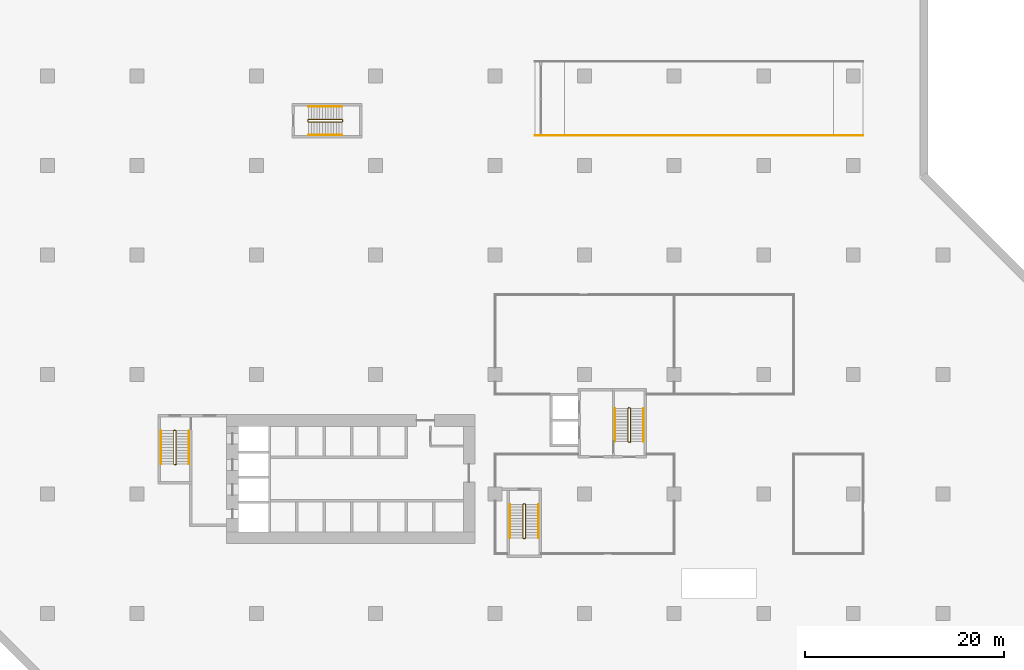
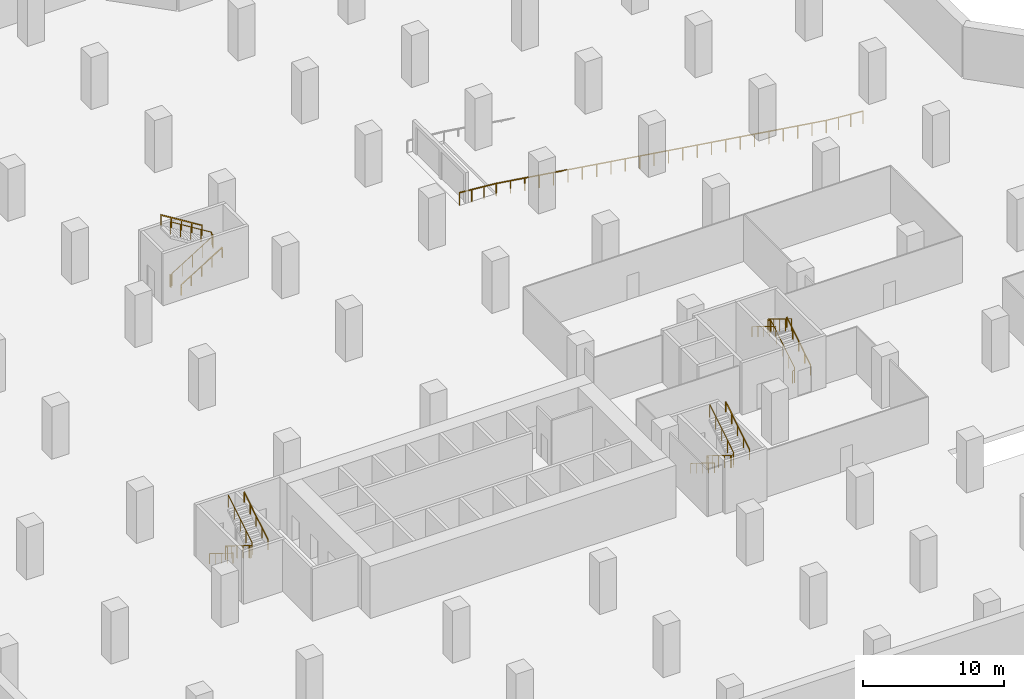
# One storey, part 8 of 9: 13 railings.
"""IFC4 building model written with IfcOpenShell, lengths in metres."""

from ifc_helpers import new_model, si_unit, direction, frame, origin, origin_2d, place, context, subcontext, project, spatial, rectangle, extrude, material, type_object, element, save


model = new_model("IFC4")

# Units and contexts
model_context = context("Model", 3, precision=1e-05, world=origin(), true_north=direction((0.0, 1.0)))
body_context = subcontext(model_context, "Body", "Model", "MODEL_VIEW")
ifc_project = project(units=[si_unit("LENGTHUNIT", "METRE"), si_unit("AREAUNIT", "SQUARE_METRE"), si_unit("VOLUMEUNIT", "CUBIC_METRE"), si_unit("PLANEANGLEUNIT", "RADIAN"), si_unit("MASSUNIT", "GRAM", prefix="KILO")], contexts=[model_context])

# Site, building, storey
site_placement = place(None, origin())
site = spatial("IfcSite", under=ifc_project, at=site_placement, CompositionType="ELEMENT")
building_placement = place(site_placement, origin())
building = spatial("IfcBuilding", under=site, at=building_placement, Name="Chenar Terraces", CompositionType="ELEMENT")
storey_placement = place(building_placement, frame((0.0, 0.0, -4.5)))
storey = spatial("IfcBuildingStorey", under=building, at=storey_placement, Name="B1", CompositionType="ELEMENT", Elevation=-4.5)

# Railings
ifc_material_1 = material(Name="Powder-coated steel", Category="steel")
railing_type_1 = type_object("IfcRailingType", Name="Ramp guard 1100", PredefinedType="GUARDRAIL", material=ifc_material_1)
railing_1_placement = place(storey_placement, frame((40.0, 48.050048828125, 0.0)))
element("IfcRailing", 1, at=railing_1_placement, inside=storey, type_object=railing_type_1, Name="R2 ramp guard south", PredefinedType="GUARDRAIL", context=body_context, shape_type="SweptSolid", body=[
    extrude(rectangle(XDim=0.048095703125, YDim=0.048095703125, at=origin_2d()), frame((0.0, 0.0, 1.076171875), z_axis=(0.996545758245, 0.0, -0.083045479854), x_axis=(0.0, 1.0, 0.0)), (0.0, 0.0, 1.0), 3.010498046875),
    extrude(rectangle(XDim=0.048095703125, YDim=0.048095703125, at=origin_2d()), frame((3.0, 0.0, 0.826171875), z_axis=(0.989203462354, 0.0, -0.146548661089), x_axis=(0.0, 1.0, 0.0)), (0.0, 0.0, 1.0), 27.294677734375),
    extrude(rectangle(XDim=0.048095703125, YDim=0.048095703125, at=origin_2d()), frame((30.0, 0.0, -3.173828125), z_axis=(0.996545758245, 0.0, -0.083045479854), x_axis=(0.0, 1.0, 0.0)), (0.0, 0.0, 1.0), 3.010498046875),
    extrude(rectangle(XDim=0.0419921875, YDim=0.0419921875, at=origin_2d()), origin(), (0.0, 0.0, 1.0), 1.052001953125),
    extrude(rectangle(XDim=0.0419921875, YDim=0.0419921875, at=origin_2d()), frame((1.0, 0.0, -0.083251953125)), (0.0, 0.0, 1.0), 1.052001953125),
    extrude(rectangle(XDim=0.0419921875, YDim=0.0419921875, at=origin_2d()), frame((2.0, 0.0, -0.166748046875)), (0.0, 0.0, 1.0), 1.052001953125),
    extrude(rectangle(XDim=0.0419921875, YDim=0.0419921875, at=origin_2d()), frame((3.0, 0.0, -0.25)), (0.0, 0.0, 1.0), 1.052001953125),
    extrude(rectangle(XDim=0.0419921875, YDim=0.0419921875, at=origin_2d()), frame((4.173828125, 0.0, -0.423828125)), (0.0, 0.0, 1.0), 1.052001953125),
    extrude(rectangle(XDim=0.0419921875, YDim=0.0419921875, at=origin_2d()), frame((5.347900390625, 0.0, -0.597900390625)), (0.0, 0.0, 1.0), 1.052001953125),
    extrude(rectangle(XDim=0.0419921875, YDim=0.0419921875, at=origin_2d()), frame((6.521728515625, 0.0, -0.771728515625)), (0.0, 0.0, 1.0), 1.052001953125),
    extrude(rectangle(XDim=0.0419921875, YDim=0.0419921875, at=origin_2d()), frame((7.695556640625, 0.0, -0.945556640625)), (0.0, 0.0, 1.0), 1.052001953125),
    extrude(rectangle(XDim=0.0419921875, YDim=0.0419921875, at=origin_2d()), frame((8.86962890625, 0.0, -1.11962890625)), (0.0, 0.0, 1.0), 1.052001953125),
    extrude(rectangle(XDim=0.0419921875, YDim=0.0419921875, at=origin_2d()), frame((10.04345703125, 0.0, -1.29345703125)), (0.0, 0.0, 1.0), 1.052001953125),
    extrude(rectangle(XDim=0.0419921875, YDim=0.0419921875, at=origin_2d()), frame((11.21728515625, 0.0, -1.46728515625)), (0.0, 0.0, 1.0), 1.052001953125),
    extrude(rectangle(XDim=0.0419921875, YDim=0.0419921875, at=origin_2d()), frame((12.391357421875, 0.0, -1.641357421875)), (0.0, 0.0, 1.0), 1.052001953125),
    extrude(rectangle(XDim=0.0419921875, YDim=0.0419921875, at=origin_2d()), frame((13.565185546875, 0.0, -1.815185546875)), (0.0, 0.0, 1.0), 1.052001953125),
    extrude(rectangle(XDim=0.0419921875, YDim=0.0419921875, at=origin_2d()), frame((14.739013671875, 0.0, -1.989013671875)), (0.0, 0.0, 1.0), 1.052001953125),
    extrude(rectangle(XDim=0.0419921875, YDim=0.0419921875, at=origin_2d()), frame((15.9130859375, 0.0, -2.1630859375)), (0.0, 0.0, 1.0), 1.052001953125),
    extrude(rectangle(XDim=0.0419921875, YDim=0.0419921875, at=origin_2d()), frame((17.0869140625, 0.0, -2.3369140625)), (0.0, 0.0, 1.0), 1.052001953125),
    extrude(rectangle(XDim=0.0419921875, YDim=0.0419921875, at=origin_2d()), frame((18.260986328125, 0.0, -2.510986328125)), (0.0, 0.0, 1.0), 1.052001953125),
    extrude(rectangle(XDim=0.0419921875, YDim=0.0419921875, at=origin_2d()), frame((19.434814453125, 0.0, -2.684814453125)), (0.0, 0.0, 1.0), 1.052001953125),
    extrude(rectangle(XDim=0.0419921875, YDim=0.0419921875, at=origin_2d()), frame((20.608642578125, 0.0, -2.858642578125)), (0.0, 0.0, 1.0), 1.052001953125),
    extrude(rectangle(XDim=0.0419921875, YDim=0.0419921875, at=origin_2d()), frame((21.78271484375, 0.0, -3.03271484375)), (0.0, 0.0, 1.0), 1.052001953125),
    extrude(rectangle(XDim=0.0419921875, YDim=0.0419921875, at=origin_2d()), frame((22.95654296875, 0.0, -3.20654296875)), (0.0, 0.0, 1.0), 1.052001953125),
    extrude(rectangle(XDim=0.0419921875, YDim=0.0419921875, at=origin_2d()), frame((24.13037109375, 0.0, -3.38037109375)), (0.0, 0.0, 1.0), 1.052001953125),
    extrude(rectangle(XDim=0.0419921875, YDim=0.0419921875, at=origin_2d()), frame((25.304443359375, 0.0, -3.554443359375)), (0.0, 0.0, 1.0), 1.052001953125),
    extrude(rectangle(XDim=0.0419921875, YDim=0.0419921875, at=origin_2d()), frame((26.478271484375, 0.0, -3.728271484375)), (0.0, 0.0, 1.0), 1.052001953125),
    extrude(rectangle(XDim=0.0419921875, YDim=0.0419921875, at=origin_2d()), frame((27.652099609375, 0.0, -3.902099609375)), (0.0, 0.0, 1.0), 1.052001953125),
    extrude(rectangle(XDim=0.0419921875, YDim=0.0419921875, at=origin_2d()), frame((28.826171875, 0.0, -4.076171875)), (0.0, 0.0, 1.0), 1.052001953125),
    extrude(rectangle(XDim=0.0419921875, YDim=0.0419921875, at=origin_2d()), frame((30.0, 0.0, -4.25)), (0.0, 0.0, 1.0), 1.052001953125),
    extrude(rectangle(XDim=0.0419921875, YDim=0.0419921875, at=origin_2d()), frame((31.0, 0.0, -4.333251953125)), (0.0, 0.0, 1.0), 1.052001953125),
    extrude(rectangle(XDim=0.0419921875, YDim=0.0419921875, at=origin_2d()), frame((32.0, 0.0, -4.416748046875)), (0.0, 0.0, 1.0), 1.052001953125),
    extrude(rectangle(XDim=0.0419921875, YDim=0.0419921875, at=origin_2d()), frame((33.0, 0.0, -4.5)), (0.0, 0.0, 1.0), 1.052001953125),
])
ifc_material_2 = material(Name="Powder-coated steel", Category="steel")
railing_type_2 = type_object("IfcRailingType", Name="Stair guard 1100", PredefinedType="GUARDRAIL", material=ifc_material_2)
railing_2_placement = place(storey_placement, frame((3.949951171875, 18.35009765625, 4.5)))
element("IfcRailing", 2, at=railing_2_placement, inside=storey, type_object=railing_type_2, Name="B1 ST1 stair guard 1", PredefinedType="GUARDRAIL", context=body_context, shape_type="SweptSolid", body=[
    extrude(rectangle(XDim=0.048095703125, YDim=0.048095703125, at=origin_2d()), frame((0.0, 0.0, 1.076171875), z_axis=(0.0, -0.850623216509, -0.525775754039), x_axis=(1.0, 0.0, 0.0)), (0.0, 0.0, 1.0), 3.9501953125),
    extrude(rectangle(XDim=0.048095703125, YDim=0.048095703125, at=origin_2d()), frame((0.0, -3.360107421875, -1.0009765625), z_axis=(-0.267629722418, -0.267629722418, -0.925607186314), x_axis=(0.707106781187, -0.707106781187, 0.0)), (0.0, 0.0, 1.0), 0.18701171875),
    extrude(rectangle(XDim=0.048095703125, YDim=0.048095703125, at=origin_2d()), frame((-0.050048828125, -3.41015625, -1.173828125), z_axis=(-1.0, 0.0, 0.0), x_axis=(0.0, -1.0, 0.0)), (0.0, 0.0, 1.0), 0.14990234375),
    extrude(rectangle(XDim=0.048095703125, YDim=0.048095703125, at=origin_2d()), frame((-0.199951171875, -3.41015625, -1.173828125), z_axis=(-0.707106781187, 0.707106781187, 0.0), x_axis=(-0.707106781187, -0.707106781187, 0.0)), (0.0, 0.0, 1.0), 0.07080078125),
    extrude(rectangle(XDim=0.048095703125, YDim=0.048095703125, at=origin_2d()), frame((-0.25, -3.360107421875, -1.173828125), z_axis=(0.0, 0.850623216509, -0.525775754039), x_axis=(-1.0, 0.0, 0.0)), (0.0, 0.0, 1.0), 3.9501953125),
    extrude(rectangle(XDim=0.048095703125, YDim=0.048095703125, at=origin_2d()), frame((-0.25, 0.0, -3.2509765625), z_axis=(0.267723051232, 0.266417085129, -0.925929967433), x_axis=(-0.705375805398, 0.708833529934, 0.0)), (0.0, 0.0, 1.0), 0.18701171875),
    extrude(rectangle(XDim=0.048095703125, YDim=0.048095703125, at=origin_2d()), frame((-0.199951171875, 0.0498046875, -3.423828125), z_axis=(1.0, 0.0, 0.0), x_axis=(0.0, 1.0, 0.0)), (0.0, 0.0, 1.0), 0.14990234375),
    extrude(rectangle(XDim=0.0419921875, YDim=0.0419921875, at=origin_2d()), origin(), (0.0, 0.0, 1.0), 1.052001953125),
    extrude(rectangle(XDim=0.0419921875, YDim=0.0419921875, at=origin_2d()), frame((0.0, -0.840087890625, -0.519287109375)), (0.0, 0.0, 1.0), 1.052001953125),
    extrude(rectangle(XDim=0.0419921875, YDim=0.0419921875, at=origin_2d()), frame((0.0, -1.68017578125, -1.03857421875)), (0.0, 0.0, 1.0), 1.052001953125),
    extrude(rectangle(XDim=0.0419921875, YDim=0.0419921875, at=origin_2d()), frame((0.0, -2.52001953125, -1.5576171875)), (0.0, 0.0, 1.0), 1.052001953125),
    extrude(rectangle(XDim=0.0419921875, YDim=0.0419921875, at=origin_2d()), frame((0.0, -3.360107421875, -2.076904296875)), (0.0, 0.0, 1.0), 1.052001953125),
    extrude(rectangle(XDim=0.0419921875, YDim=0.0419921875, at=origin_2d()), frame((-0.050048828125, -3.41015625, -2.25)), (0.0, 0.0, 1.0), 1.052001953125),
    extrude(rectangle(XDim=0.0419921875, YDim=0.0419921875, at=origin_2d()), frame((-0.199951171875, -3.41015625, -2.25)), (0.0, 0.0, 1.0), 1.052001953125),
    extrude(rectangle(XDim=0.0419921875, YDim=0.0419921875, at=origin_2d()), frame((-0.25, -3.360107421875, -2.25)), (0.0, 0.0, 1.0), 1.052001953125),
    extrude(rectangle(XDim=0.0419921875, YDim=0.0419921875, at=origin_2d()), frame((-0.25, -2.52001953125, -2.769287109375)), (0.0, 0.0, 1.0), 1.052001953125),
    extrude(rectangle(XDim=0.0419921875, YDim=0.0419921875, at=origin_2d()), frame((-0.25, -1.68017578125, -3.28857421875)), (0.0, 0.0, 1.0), 1.052001953125),
    extrude(rectangle(XDim=0.0419921875, YDim=0.0419921875, at=origin_2d()), frame((-0.25, -0.840087890625, -3.8076171875)), (0.0, 0.0, 1.0), 1.052001953125),
    extrude(rectangle(XDim=0.0419921875, YDim=0.0419921875, at=origin_2d()), frame((-0.25, 0.0, -4.326904296875)), (0.0, 0.0, 1.0), 1.052001953125),
    extrude(rectangle(XDim=0.0419921875, YDim=0.0419921875, at=origin_2d()), frame((-0.199951171875, 0.0498046875, -4.5)), (0.0, 0.0, 1.0), 1.052001953125),
    extrude(rectangle(XDim=0.0419921875, YDim=0.0419921875, at=origin_2d()), frame((-0.050048828125, 0.0498046875, -4.5)), (0.0, 0.0, 1.0), 1.052001953125),
])
railing_3_placement = place(storey_placement, frame((39.050048828125, 10.949951171875, 4.5)))
element("IfcRailing", 3, at=railing_3_placement, inside=storey, type_object=railing_type_2, Name="B1 ST2 stair guard 1", PredefinedType="GUARDRAIL", context=body_context, shape_type="SweptSolid", body=[
    extrude(rectangle(XDim=0.048095703125, YDim=0.048095703125, at=origin_2d()), frame((0.0, 0.0, 1.076171875), z_axis=(0.0, -0.850606129759, -0.525803396734), x_axis=(1.0, 0.0, 0.0)), (0.0, 0.0, 1.0), 3.949951171875),
    extrude(rectangle(XDim=0.048095703125, YDim=0.048095703125, at=origin_2d()), frame((0.0, -3.35986328125, -1.0009765625), z_axis=(-0.267629722418, -0.267629722418, -0.925607186314), x_axis=(0.707106781187, -0.707106781187, 0.0)), (0.0, 0.0, 1.0), 0.18701171875),
    extrude(rectangle(XDim=0.048095703125, YDim=0.048095703125, at=origin_2d()), frame((-0.050048828125, -3.409912109375, -1.173828125), z_axis=(-1.0, 0.0, 0.0), x_axis=(0.0, -1.0, 0.0)), (0.0, 0.0, 1.0), 0.14990234375),
    extrude(rectangle(XDim=0.048095703125, YDim=0.048095703125, at=origin_2d()), frame((-0.199951171875, -3.409912109375, -1.173828125), z_axis=(-0.707106781187, 0.707106781187, 0.0), x_axis=(-0.707106781187, -0.707106781187, 0.0)), (0.0, 0.0, 1.0), 0.07080078125),
    extrude(rectangle(XDim=0.048095703125, YDim=0.048095703125, at=origin_2d()), frame((-0.25, -3.35986328125, -1.173828125), z_axis=(0.0, 0.850606129759, -0.525803396734), x_axis=(-1.0, 0.0, 0.0)), (0.0, 0.0, 1.0), 3.949951171875),
    extrude(rectangle(XDim=0.048095703125, YDim=0.048095703125, at=origin_2d()), frame((-0.25, 0.0, -3.2509765625), z_axis=(0.267629722418, 0.267629722418, -0.925607186314), x_axis=(-0.707106781187, 0.707106781187, 0.0)), (0.0, 0.0, 1.0), 0.18701171875),
    extrude(rectangle(XDim=0.048095703125, YDim=0.048095703125, at=origin_2d()), frame((-0.199951171875, 0.050048828125, -3.423828125), z_axis=(1.0, 0.0, 0.0), x_axis=(0.0, 1.0, 0.0)), (0.0, 0.0, 1.0), 0.14990234375),
    extrude(rectangle(XDim=0.0419921875, YDim=0.0419921875, at=origin_2d()), origin(), (0.0, 0.0, 1.0), 1.052001953125),
    extrude(rectangle(XDim=0.0419921875, YDim=0.0419921875, at=origin_2d()), frame((0.0, -0.83984375, -0.519287109375)), (0.0, 0.0, 1.0), 1.052001953125),
    extrude(rectangle(XDim=0.0419921875, YDim=0.0419921875, at=origin_2d()), frame((0.0, -1.679931640625, -1.03857421875)), (0.0, 0.0, 1.0), 1.052001953125),
    extrude(rectangle(XDim=0.0419921875, YDim=0.0419921875, at=origin_2d()), frame((0.0, -2.52001953125, -1.5576171875)), (0.0, 0.0, 1.0), 1.052001953125),
    extrude(rectangle(XDim=0.0419921875, YDim=0.0419921875, at=origin_2d()), frame((0.0, -3.35986328125, -2.076904296875)), (0.0, 0.0, 1.0), 1.052001953125),
    extrude(rectangle(XDim=0.0419921875, YDim=0.0419921875, at=origin_2d()), frame((-0.050048828125, -3.409912109375, -2.25)), (0.0, 0.0, 1.0), 1.052001953125),
    extrude(rectangle(XDim=0.0419921875, YDim=0.0419921875, at=origin_2d()), frame((-0.199951171875, -3.409912109375, -2.25)), (0.0, 0.0, 1.0), 1.052001953125),
    extrude(rectangle(XDim=0.0419921875, YDim=0.0419921875, at=origin_2d()), frame((-0.25, -3.35986328125, -2.25)), (0.0, 0.0, 1.0), 1.052001953125),
    extrude(rectangle(XDim=0.0419921875, YDim=0.0419921875, at=origin_2d()), frame((-0.25, -2.52001953125, -2.769287109375)), (0.0, 0.0, 1.0), 1.052001953125),
    extrude(rectangle(XDim=0.0419921875, YDim=0.0419921875, at=origin_2d()), frame((-0.25, -1.679931640625, -3.28857421875)), (0.0, 0.0, 1.0), 1.052001953125),
    extrude(rectangle(XDim=0.0419921875, YDim=0.0419921875, at=origin_2d()), frame((-0.25, -0.83984375, -3.8076171875)), (0.0, 0.0, 1.0), 1.052001953125),
    extrude(rectangle(XDim=0.0419921875, YDim=0.0419921875, at=origin_2d()), frame((-0.25, 0.0, -4.326904296875)), (0.0, 0.0, 1.0), 1.052001953125),
    extrude(rectangle(XDim=0.0419921875, YDim=0.0419921875, at=origin_2d()), frame((-0.199951171875, 0.050048828125, -4.5)), (0.0, 0.0, 1.0), 1.052001953125),
    extrude(rectangle(XDim=0.0419921875, YDim=0.0419921875, at=origin_2d()), frame((-0.050048828125, 0.050048828125, -4.5)), (0.0, 0.0, 1.0), 1.052001953125),
])
railing_4_placement = place(storey_placement, frame((49.375, 17.25, 4.5)))
element("IfcRailing", 4, at=railing_4_placement, inside=storey, type_object=railing_type_2, Name="B1 ST3 stair guard 1", PredefinedType="GUARDRAIL", context=body_context, shape_type="SweptSolid", body=[
    extrude(rectangle(XDim=0.048095703125, YDim=0.048095703125, at=origin_2d()), frame((0.0, 0.0, 1.076171875), z_axis=(0.0, 0.850623216509, -0.525775754039), x_axis=(-1.0, 0.0, 0.0)), (0.0, 0.0, 1.0), 3.9501953125),
    extrude(rectangle(XDim=0.048095703125, YDim=0.048095703125, at=origin_2d()), frame((0.0, 3.360107421875, -1.0009765625), z_axis=(0.267723051232, 0.266417085129, -0.925929967433), x_axis=(-0.705375805398, 0.708833529934, 0.0)), (0.0, 0.0, 1.0), 0.18701171875),
    extrude(rectangle(XDim=0.048095703125, YDim=0.048095703125, at=origin_2d()), frame((0.050048828125, 3.409912109375, -1.173828125), z_axis=(1.0, 0.0, 0.0), x_axis=(0.0, 1.0, 0.0)), (0.0, 0.0, 1.0), 0.14990234375),
    extrude(rectangle(XDim=0.048095703125, YDim=0.048095703125, at=origin_2d()), frame((0.199951171875, 3.409912109375, -1.173828125), z_axis=(0.708833529934, -0.705375805398, 0.0), x_axis=(0.705375805398, 0.708833529934, 0.0)), (0.0, 0.0, 1.0), 0.070556640625),
    extrude(rectangle(XDim=0.048095703125, YDim=0.048095703125, at=origin_2d()), frame((0.25, 3.360107421875, -1.173828125), z_axis=(0.0, -0.850623216509, -0.525775754039), x_axis=(1.0, 0.0, 0.0)), (0.0, 0.0, 1.0), 3.9501953125),
    extrude(rectangle(XDim=0.048095703125, YDim=0.048095703125, at=origin_2d()), frame((0.25, 0.0, -3.2509765625), z_axis=(-0.267629722418, -0.267629722418, -0.925607186314), x_axis=(0.707106781187, -0.707106781187, 0.0)), (0.0, 0.0, 1.0), 0.18701171875),
    extrude(rectangle(XDim=0.048095703125, YDim=0.048095703125, at=origin_2d()), frame((0.199951171875, -0.050048828125, -3.423828125), z_axis=(-1.0, 0.0, 0.0), x_axis=(0.0, -1.0, 0.0)), (0.0, 0.0, 1.0), 0.14990234375),
    extrude(rectangle(XDim=0.0419921875, YDim=0.0419921875, at=origin_2d()), origin(), (0.0, 0.0, 1.0), 1.052001953125),
    extrude(rectangle(XDim=0.0419921875, YDim=0.0419921875, at=origin_2d()), frame((0.0, 0.840087890625, -0.519287109375)), (0.0, 0.0, 1.0), 1.052001953125),
    extrude(rectangle(XDim=0.0419921875, YDim=0.0419921875, at=origin_2d()), frame((0.0, 1.68017578125, -1.03857421875)), (0.0, 0.0, 1.0), 1.052001953125),
    extrude(rectangle(XDim=0.0419921875, YDim=0.0419921875, at=origin_2d()), frame((0.0, 2.52001953125, -1.5576171875)), (0.0, 0.0, 1.0), 1.052001953125),
    extrude(rectangle(XDim=0.0419921875, YDim=0.0419921875, at=origin_2d()), frame((0.0, 3.360107421875, -2.076904296875)), (0.0, 0.0, 1.0), 1.052001953125),
    extrude(rectangle(XDim=0.0419921875, YDim=0.0419921875, at=origin_2d()), frame((0.050048828125, 3.409912109375, -2.25)), (0.0, 0.0, 1.0), 1.052001953125),
    extrude(rectangle(XDim=0.0419921875, YDim=0.0419921875, at=origin_2d()), frame((0.199951171875, 3.409912109375, -2.25)), (0.0, 0.0, 1.0), 1.052001953125),
    extrude(rectangle(XDim=0.0419921875, YDim=0.0419921875, at=origin_2d()), frame((0.25, 3.360107421875, -2.25)), (0.0, 0.0, 1.0), 1.052001953125),
    extrude(rectangle(XDim=0.0419921875, YDim=0.0419921875, at=origin_2d()), frame((0.25, 2.52001953125, -2.769287109375)), (0.0, 0.0, 1.0), 1.052001953125),
    extrude(rectangle(XDim=0.0419921875, YDim=0.0419921875, at=origin_2d()), frame((0.25, 1.68017578125, -3.28857421875)), (0.0, 0.0, 1.0), 1.052001953125),
    extrude(rectangle(XDim=0.0419921875, YDim=0.0419921875, at=origin_2d()), frame((0.25, 0.840087890625, -3.8076171875)), (0.0, 0.0, 1.0), 1.052001953125),
    extrude(rectangle(XDim=0.0419921875, YDim=0.0419921875, at=origin_2d()), frame((0.25, 0.0, -4.326904296875)), (0.0, 0.0, 1.0), 1.052001953125),
    extrude(rectangle(XDim=0.0419921875, YDim=0.0419921875, at=origin_2d()), frame((0.199951171875, -0.050048828125, -4.5)), (0.0, 0.0, 1.0), 1.052001953125),
    extrude(rectangle(XDim=0.0419921875, YDim=0.0419921875, at=origin_2d()), frame((0.050048828125, -0.050048828125, -4.5)), (0.0, 0.0, 1.0), 1.052001953125),
])
railing_5_placement = place(storey_placement, frame((17.25, 49.625, 4.5)))
element("IfcRailing", 5, at=railing_5_placement, inside=storey, type_object=railing_type_2, Name="B1 ST4 stair guard 1", PredefinedType="GUARDRAIL", context=body_context, shape_type="SweptSolid", body=[
    extrude(rectangle(XDim=0.048095703125, YDim=0.048095703125, at=origin_2d()), frame((0.0, 0.0, 1.076171875), z_axis=(0.850623216509, 0.0, -0.525775754039), x_axis=(0.0, 1.0, 0.0)), (0.0, 0.0, 1.0), 3.9501953125),
    extrude(rectangle(XDim=0.048095703125, YDim=0.048095703125, at=origin_2d()), frame((3.360107421875, 0.0, -1.0009765625), z_axis=(0.266417085129, -0.267723051232, -0.925929967433), x_axis=(0.708833529934, 0.705375805398, 0.0)), (0.0, 0.0, 1.0), 0.18701171875),
    extrude(rectangle(XDim=0.048095703125, YDim=0.048095703125, at=origin_2d()), frame((3.409912109375, -0.050048828125, -1.173828125), z_axis=(0.0, -1.0, 0.0), x_axis=(1.0, 0.0, 0.0)), (0.0, 0.0, 1.0), 0.14990234375),
    extrude(rectangle(XDim=0.048095703125, YDim=0.048095703125, at=origin_2d()), frame((3.409912109375, -0.199951171875, -1.173828125), z_axis=(-0.705375805398, -0.708833529934, 0.0), x_axis=(0.708833529934, -0.705375805398, 0.0)), (0.0, 0.0, 1.0), 0.070556640625),
    extrude(rectangle(XDim=0.048095703125, YDim=0.048095703125, at=origin_2d()), frame((3.360107421875, -0.25, -1.173828125), z_axis=(-0.850623216509, 0.0, -0.525775754039), x_axis=(0.0, -1.0, 0.0)), (0.0, 0.0, 1.0), 3.9501953125),
    extrude(rectangle(XDim=0.048095703125, YDim=0.048095703125, at=origin_2d()), frame((0.0, -0.25, -3.2509765625), z_axis=(-0.267629722418, 0.267629722418, -0.925607186314), x_axis=(-0.707106781187, -0.707106781187, 0.0)), (0.0, 0.0, 1.0), 0.18701171875),
    extrude(rectangle(XDim=0.048095703125, YDim=0.048095703125, at=origin_2d()), frame((-0.050048828125, -0.199951171875, -3.423828125), z_axis=(0.0, 1.0, 0.0), x_axis=(-1.0, 0.0, 0.0)), (0.0, 0.0, 1.0), 0.14990234375),
    extrude(rectangle(XDim=0.0419921875, YDim=0.0419921875, at=origin_2d()), origin(), (0.0, 0.0, 1.0), 1.052001953125),
    extrude(rectangle(XDim=0.0419921875, YDim=0.0419921875, at=origin_2d()), frame((0.840087890625, 0.0, -0.519287109375)), (0.0, 0.0, 1.0), 1.052001953125),
    extrude(rectangle(XDim=0.0419921875, YDim=0.0419921875, at=origin_2d()), frame((1.68017578125, 0.0, -1.03857421875)), (0.0, 0.0, 1.0), 1.052001953125),
    extrude(rectangle(XDim=0.0419921875, YDim=0.0419921875, at=origin_2d()), frame((2.52001953125, 0.0, -1.5576171875)), (0.0, 0.0, 1.0), 1.052001953125),
    extrude(rectangle(XDim=0.0419921875, YDim=0.0419921875, at=origin_2d()), frame((3.360107421875, 0.0, -2.076904296875)), (0.0, 0.0, 1.0), 1.052001953125),
    extrude(rectangle(XDim=0.0419921875, YDim=0.0419921875, at=origin_2d()), frame((3.409912109375, -0.050048828125, -2.25)), (0.0, 0.0, 1.0), 1.052001953125),
    extrude(rectangle(XDim=0.0419921875, YDim=0.0419921875, at=origin_2d()), frame((3.409912109375, -0.199951171875, -2.25)), (0.0, 0.0, 1.0), 1.052001953125),
    extrude(rectangle(XDim=0.0419921875, YDim=0.0419921875, at=origin_2d()), frame((3.360107421875, -0.25, -2.25)), (0.0, 0.0, 1.0), 1.052001953125),
    extrude(rectangle(XDim=0.0419921875, YDim=0.0419921875, at=origin_2d()), frame((2.52001953125, -0.25, -2.769287109375)), (0.0, 0.0, 1.0), 1.052001953125),
    extrude(rectangle(XDim=0.0419921875, YDim=0.0419921875, at=origin_2d()), frame((1.68017578125, -0.25, -3.28857421875)), (0.0, 0.0, 1.0), 1.052001953125),
    extrude(rectangle(XDim=0.0419921875, YDim=0.0419921875, at=origin_2d()), frame((0.840087890625, -0.25, -3.8076171875)), (0.0, 0.0, 1.0), 1.052001953125),
    extrude(rectangle(XDim=0.0419921875, YDim=0.0419921875, at=origin_2d()), frame((0.0, -0.25, -4.326904296875)), (0.0, 0.0, 1.0), 1.052001953125),
    extrude(rectangle(XDim=0.0419921875, YDim=0.0419921875, at=origin_2d()), frame((-0.050048828125, -0.199951171875, -4.5)), (0.0, 0.0, 1.0), 1.052001953125),
    extrude(rectangle(XDim=0.0419921875, YDim=0.0419921875, at=origin_2d()), frame((-0.050048828125, -0.050048828125, -4.5)), (0.0, 0.0, 1.0), 1.052001953125),
])
ifc_material_3 = material(Name="Powder-coated steel", Category="steel")
railing_type_3 = type_object("IfcRailingType", Name="Stair handrail 900", PredefinedType="HANDRAIL", material=ifc_material_3)
railing_6_placement = place(storey_placement, frame((2.39990234375, 18.35009765625, 0.173095703125)))
element("IfcRailing", 6, at=railing_6_placement, inside=storey, type_object=railing_type_3, Name="B1 ST1 stair handrail 1", PredefinedType="HANDRAIL", context=body_context, shape_type="SweptSolid", body=[
    extrude(rectangle(XDim=0.048095703125, YDim=0.048095703125, at=origin_2d()), frame((0.0, 0.0, 0.8759765625), z_axis=(0.0, -0.850623216509, 0.525775754039), x_axis=(1.0, 0.0, 0.0)), (0.0, 0.0, 1.0), 3.9501953125),
    extrude(rectangle(XDim=0.0419921875, YDim=0.0419921875, at=origin_2d()), origin(), (0.0, 0.0, 1.0), 0.851806640625),
    extrude(rectangle(XDim=0.0419921875, YDim=0.0419921875, at=origin_2d()), frame((0.0, -0.840087890625, 0.519287109375)), (0.0, 0.0, 1.0), 0.851806640625),
    extrude(rectangle(XDim=0.0419921875, YDim=0.0419921875, at=origin_2d()), frame((0.0, -1.68017578125, 1.03857421875)), (0.0, 0.0, 1.0), 0.851806640625),
    extrude(rectangle(XDim=0.0419921875, YDim=0.0419921875, at=origin_2d()), frame((0.0, -2.52001953125, 1.5576171875)), (0.0, 0.0, 1.0), 0.851806640625),
    extrude(rectangle(XDim=0.0419921875, YDim=0.0419921875, at=origin_2d()), frame((0.0, -3.360107421875, 2.076904296875)), (0.0, 0.0, 1.0), 0.851806640625),
])
railing_7_placement = place(storey_placement, frame((5.25, 14.989990234375, 2.423095703125)))
element("IfcRailing", 7, at=railing_7_placement, inside=storey, type_object=railing_type_3, Name="B1 ST1 stair handrail 2", PredefinedType="HANDRAIL", context=body_context, shape_type="SweptSolid", body=[
    extrude(rectangle(XDim=0.048095703125, YDim=0.048095703125, at=origin_2d()), frame((0.0, 0.0, 0.8759765625), z_axis=(0.0, 0.850623216509, 0.525775754039), x_axis=(-1.0, 0.0, 0.0)), (0.0, 0.0, 1.0), 3.9501953125),
    extrude(rectangle(XDim=0.0419921875, YDim=0.0419921875, at=origin_2d()), origin(), (0.0, 0.0, 1.0), 0.851806640625),
    extrude(rectangle(XDim=0.0419921875, YDim=0.0419921875, at=origin_2d()), frame((0.0, 0.840087890625, 0.519287109375)), (0.0, 0.0, 1.0), 0.851806640625),
    extrude(rectangle(XDim=0.0419921875, YDim=0.0419921875, at=origin_2d()), frame((0.0, 1.68017578125, 1.03857421875)), (0.0, 0.0, 1.0), 0.851806640625),
    extrude(rectangle(XDim=0.0419921875, YDim=0.0419921875, at=origin_2d()), frame((0.0, 2.52001953125, 1.5576171875)), (0.0, 0.0, 1.0), 0.851806640625),
    extrude(rectangle(XDim=0.0419921875, YDim=0.0419921875, at=origin_2d()), frame((0.0, 3.360107421875, 2.076904296875)), (0.0, 0.0, 1.0), 0.851806640625),
])
railing_8_placement = place(storey_placement, frame((37.5, 10.949951171875, 0.173095703125)))
element("IfcRailing", 8, at=railing_8_placement, inside=storey, type_object=railing_type_3, Name="B1 ST2 stair handrail 1", PredefinedType="HANDRAIL", context=body_context, shape_type="SweptSolid", body=[
    extrude(rectangle(XDim=0.048095703125, YDim=0.048095703125, at=origin_2d()), frame((0.0, 0.0, 0.8759765625), z_axis=(0.0, -0.850606129759, 0.525803396734), x_axis=(1.0, 0.0, 0.0)), (0.0, 0.0, 1.0), 3.949951171875),
    extrude(rectangle(XDim=0.0419921875, YDim=0.0419921875, at=origin_2d()), origin(), (0.0, 0.0, 1.0), 0.851806640625),
    extrude(rectangle(XDim=0.0419921875, YDim=0.0419921875, at=origin_2d()), frame((0.0, -0.83984375, 0.519287109375)), (0.0, 0.0, 1.0), 0.851806640625),
    extrude(rectangle(XDim=0.0419921875, YDim=0.0419921875, at=origin_2d()), frame((0.0, -1.679931640625, 1.03857421875)), (0.0, 0.0, 1.0), 0.851806640625),
    extrude(rectangle(XDim=0.0419921875, YDim=0.0419921875, at=origin_2d()), frame((0.0, -2.52001953125, 1.5576171875)), (0.0, 0.0, 1.0), 0.851806640625),
    extrude(rectangle(XDim=0.0419921875, YDim=0.0419921875, at=origin_2d()), frame((0.0, -3.35986328125, 2.076904296875)), (0.0, 0.0, 1.0), 0.851806640625),
])
railing_9_placement = place(storey_placement, frame((40.35009765625, 7.590087890625, 2.423095703125)))
element("IfcRailing", 9, at=railing_9_placement, inside=storey, type_object=railing_type_3, Name="B1 ST2 stair handrail 2", PredefinedType="HANDRAIL", context=body_context, shape_type="SweptSolid", body=[
    extrude(rectangle(XDim=0.048095703125, YDim=0.048095703125, at=origin_2d()), frame((0.0, 0.0, 0.8759765625), z_axis=(0.0, 0.850606129759, 0.525803396734), x_axis=(-1.0, 0.0, 0.0)), (0.0, 0.0, 1.0), 3.949951171875),
    extrude(rectangle(XDim=0.0419921875, YDim=0.0419921875, at=origin_2d()), origin(), (0.0, 0.0, 1.0), 0.851806640625),
    extrude(rectangle(XDim=0.0419921875, YDim=0.0419921875, at=origin_2d()), frame((0.0, 0.83984375, 0.519287109375)), (0.0, 0.0, 1.0), 0.851806640625),
    extrude(rectangle(XDim=0.0419921875, YDim=0.0419921875, at=origin_2d()), frame((0.0, 1.679931640625, 1.03857421875)), (0.0, 0.0, 1.0), 0.851806640625),
    extrude(rectangle(XDim=0.0419921875, YDim=0.0419921875, at=origin_2d()), frame((0.0, 2.52001953125, 1.5576171875)), (0.0, 0.0, 1.0), 0.851806640625),
    extrude(rectangle(XDim=0.0419921875, YDim=0.0419921875, at=origin_2d()), frame((0.0, 3.35986328125, 2.076904296875)), (0.0, 0.0, 1.0), 0.851806640625),
])
railing_10_placement = place(storey_placement, frame((50.925048828125, 17.25, 0.173095703125)))
element("IfcRailing", 10, at=railing_10_placement, inside=storey, type_object=railing_type_3, Name="B1 ST3 stair handrail 1", PredefinedType="HANDRAIL", context=body_context, shape_type="SweptSolid", body=[
    extrude(rectangle(XDim=0.048095703125, YDim=0.048095703125, at=origin_2d()), frame((0.0, 0.0, 0.8759765625), z_axis=(0.0, 0.850623216509, 0.525775754039), x_axis=(-1.0, 0.0, 0.0)), (0.0, 0.0, 1.0), 3.9501953125),
    extrude(rectangle(XDim=0.0419921875, YDim=0.0419921875, at=origin_2d()), origin(), (0.0, 0.0, 1.0), 0.851806640625),
    extrude(rectangle(XDim=0.0419921875, YDim=0.0419921875, at=origin_2d()), frame((0.0, 0.840087890625, 0.519287109375)), (0.0, 0.0, 1.0), 0.851806640625),
    extrude(rectangle(XDim=0.0419921875, YDim=0.0419921875, at=origin_2d()), frame((0.0, 1.68017578125, 1.03857421875)), (0.0, 0.0, 1.0), 0.851806640625),
    extrude(rectangle(XDim=0.0419921875, YDim=0.0419921875, at=origin_2d()), frame((0.0, 2.52001953125, 1.5576171875)), (0.0, 0.0, 1.0), 0.851806640625),
    extrude(rectangle(XDim=0.0419921875, YDim=0.0419921875, at=origin_2d()), frame((0.0, 3.360107421875, 2.076904296875)), (0.0, 0.0, 1.0), 0.851806640625),
])
railing_11_placement = place(storey_placement, frame((48.074951171875, 20.610107421875, 2.423095703125)))
element("IfcRailing", 11, at=railing_11_placement, inside=storey, type_object=railing_type_3, Name="B1 ST3 stair handrail 2", PredefinedType="HANDRAIL", context=body_context, shape_type="SweptSolid", body=[
    extrude(rectangle(XDim=0.048095703125, YDim=0.048095703125, at=origin_2d()), frame((0.0, 0.0, 0.8759765625), z_axis=(0.0, -0.850623216509, 0.525775754039), x_axis=(1.0, 0.0, 0.0)), (0.0, 0.0, 1.0), 3.9501953125),
    extrude(rectangle(XDim=0.0419921875, YDim=0.0419921875, at=origin_2d()), origin(), (0.0, 0.0, 1.0), 0.851806640625),
    extrude(rectangle(XDim=0.0419921875, YDim=0.0419921875, at=origin_2d()), frame((0.0, -0.840087890625, 0.519287109375)), (0.0, 0.0, 1.0), 0.851806640625),
    extrude(rectangle(XDim=0.0419921875, YDim=0.0419921875, at=origin_2d()), frame((0.0, -1.68017578125, 1.03857421875)), (0.0, 0.0, 1.0), 0.851806640625),
    extrude(rectangle(XDim=0.0419921875, YDim=0.0419921875, at=origin_2d()), frame((0.0, -2.52001953125, 1.5576171875)), (0.0, 0.0, 1.0), 0.851806640625),
    extrude(rectangle(XDim=0.0419921875, YDim=0.0419921875, at=origin_2d()), frame((0.0, -3.360107421875, 2.076904296875)), (0.0, 0.0, 1.0), 0.851806640625),
])
railing_12_placement = place(storey_placement, frame((17.25, 48.074951171875, 0.173095703125)))
element("IfcRailing", 12, at=railing_12_placement, inside=storey, type_object=railing_type_3, Name="B1 ST4 stair handrail 1", PredefinedType="HANDRAIL", context=body_context, shape_type="SweptSolid", body=[
    extrude(rectangle(XDim=0.048095703125, YDim=0.048095703125, at=origin_2d()), frame((0.0, 0.0, 0.8759765625), z_axis=(0.850623216509, 0.0, 0.525775754039), x_axis=(0.0, 1.0, 0.0)), (0.0, 0.0, 1.0), 3.9501953125),
    extrude(rectangle(XDim=0.0419921875, YDim=0.0419921875, at=origin_2d()), origin(), (0.0, 0.0, 1.0), 0.851806640625),
    extrude(rectangle(XDim=0.0419921875, YDim=0.0419921875, at=origin_2d()), frame((0.840087890625, 0.0, 0.519287109375)), (0.0, 0.0, 1.0), 0.851806640625),
    extrude(rectangle(XDim=0.0419921875, YDim=0.0419921875, at=origin_2d()), frame((1.68017578125, 0.0, 1.03857421875)), (0.0, 0.0, 1.0), 0.851806640625),
    extrude(rectangle(XDim=0.0419921875, YDim=0.0419921875, at=origin_2d()), frame((2.52001953125, 0.0, 1.5576171875)), (0.0, 0.0, 1.0), 0.851806640625),
    extrude(rectangle(XDim=0.0419921875, YDim=0.0419921875, at=origin_2d()), frame((3.360107421875, 0.0, 2.076904296875)), (0.0, 0.0, 1.0), 0.851806640625),
])
railing_13_placement = place(storey_placement, frame((20.610107421875, 50.925048828125, 2.423095703125)))
element("IfcRailing", 13, at=railing_13_placement, inside=storey, type_object=railing_type_3, Name="B1 ST4 stair handrail 2", PredefinedType="HANDRAIL", context=body_context, shape_type="SweptSolid", body=[
    extrude(rectangle(XDim=0.048095703125, YDim=0.048095703125, at=origin_2d()), frame((0.0, 0.0, 0.8759765625), z_axis=(-0.850623216509, 0.0, 0.525775754039), x_axis=(0.0, -1.0, 0.0)), (0.0, 0.0, 1.0), 3.9501953125),
    extrude(rectangle(XDim=0.0419921875, YDim=0.0419921875, at=origin_2d()), origin(), (0.0, 0.0, 1.0), 0.851806640625),
    extrude(rectangle(XDim=0.0419921875, YDim=0.0419921875, at=origin_2d()), frame((-0.840087890625, 0.0, 0.519287109375)), (0.0, 0.0, 1.0), 0.851806640625),
    extrude(rectangle(XDim=0.0419921875, YDim=0.0419921875, at=origin_2d()), frame((-1.68017578125, 0.0, 1.03857421875)), (0.0, 0.0, 1.0), 0.851806640625),
    extrude(rectangle(XDim=0.0419921875, YDim=0.0419921875, at=origin_2d()), frame((-2.52001953125, 0.0, 1.5576171875)), (0.0, 0.0, 1.0), 0.851806640625),
    extrude(rectangle(XDim=0.0419921875, YDim=0.0419921875, at=origin_2d()), frame((-3.360107421875, 0.0, 2.076904296875)), (0.0, 0.0, 1.0), 0.851806640625),
])

save(model, "model.ifc")
